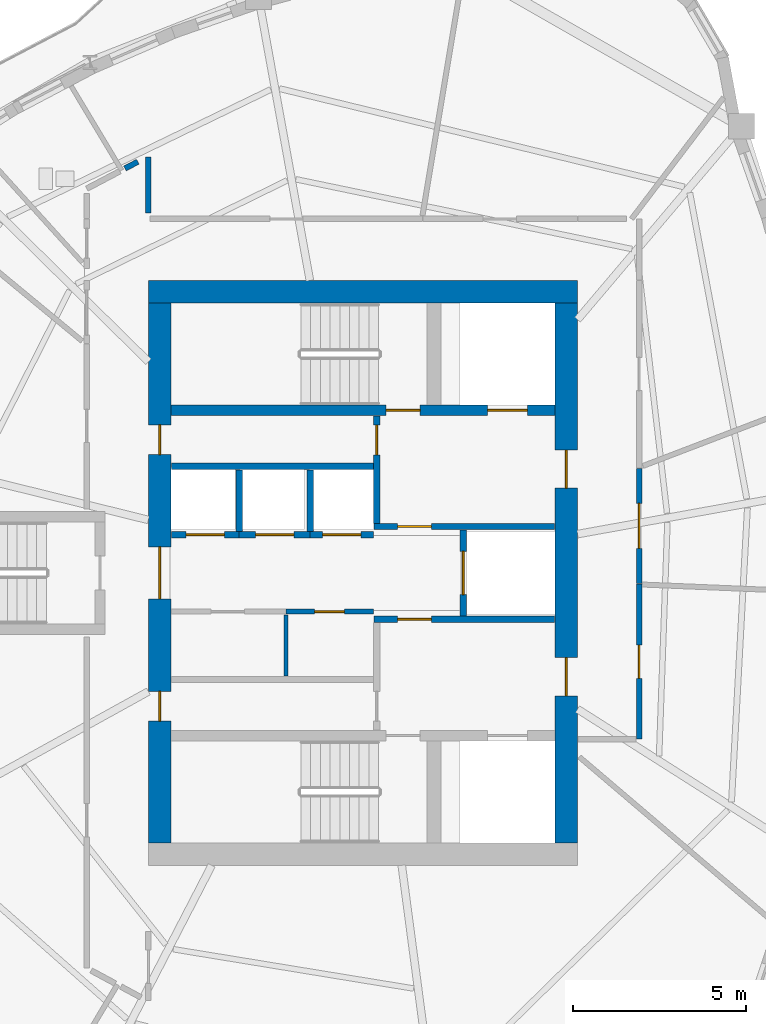
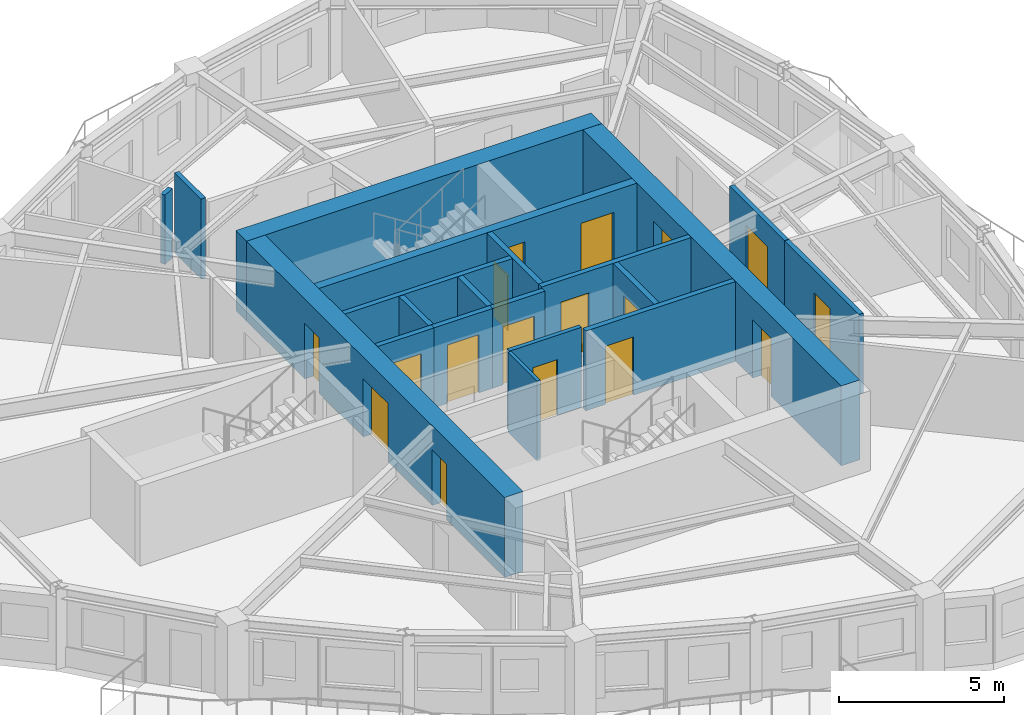
# One storey, part 5 of 11: 20 walls, 17 doors, 17 openings.
"""IFC4 building model written with IfcOpenShell, lengths in metres."""

from ifc_helpers import new_model, si_unit, direction, frame, frame_2d, origin, place, context, subcontext, project, spatial, rectangle, extrude, source, transform, mapped, material, layer, layer_set, type_object, element, fill, save


model = new_model("IFC4")

# Units and contexts
model_context = context("Model", 3, precision=1e-05, world=origin(), true_north=direction((0.0, 1.0)))
body_context = subcontext(model_context, "Body", "Model", "MODEL_VIEW")
ifc_project = project(units=[si_unit("LENGTHUNIT", "METRE"), si_unit("AREAUNIT", "SQUARE_METRE"), si_unit("VOLUMEUNIT", "CUBIC_METRE"), si_unit("PLANEANGLEUNIT", "RADIAN"), si_unit("MASSUNIT", "GRAM", prefix="KILO")], contexts=[model_context])

# Site, building, storey
site_placement = place(None, origin())
site = spatial("IfcSite", under=ifc_project, at=site_placement, CompositionType="ELEMENT")
building_placement = place(site_placement, origin())
building = spatial("IfcBuilding", under=site, at=building_placement, Name="Qafzar Sky-Pleat Residences", CompositionType="ELEMENT")
storey_placement = place(building_placement, frame((0.0, 0.0, 168.199951171875)))
storey = spatial("IfcBuildingStorey", under=building, at=storey_placement, Name="L50", CompositionType="ELEMENT", Elevation=168.199951171875)

# Wall, opening, door
ifc_material_1 = material(Name="Acoustic gypsum plasterboard partition", Category="gypsum")
ifc_layer_1 = layer(ifc_material_1, 0.159912109375)
ifc_layer_set_1 = layer_set([ifc_layer_1], Name="Acoustic gypsum plasterboard partition")
wall_type_1 = type_object("IfcWallType", Name="PART-COR-160", PredefinedType="PARTITIONING", material=ifc_layer_set_1)
wall_1_placement = place(storey_placement, frame((38.330078125, 25.68310546875, 0.0), z_axis=(0.0, 0.0, 1.0), x_axis=(0.0, -1.0, 0.0)))
wall_1 = element("IfcWall", 1, at=wall_1_placement, inside=storey, type_object=wall_type_1, Name="L50 Partition Wall PART-L50-PW-005", PredefinedType="PARTITIONING", context=body_context, shape_type="SweptSolid", body=[
    extrude(rectangle(XDim=4.483154296875, YDim=0.159912109375, at=frame_2d((2.24169921875, 0.0))), origin(), (0.0, 0.0, 1.0), 2.949951171875),
])
opening_1_placement = place(wall_1_placement, frame((1.76904296875, 0.0, 0.0)))
opening_1 = element("IfcOpeningElement", 2, at=opening_1_placement, cuts=wall_1, Name="Opening ID-06", PredefinedType="OPENING", context=body_context, shape_type="SweptSolid", body=[
    extrude(rectangle(XDim=0.9599609375, YDim=2.10009765625, at=frame_2d((0.47998046875, 1.050048828125))), frame((0.0, 0.08984375, 0.0), z_axis=(0.0, -1.0, 0.0), x_axis=(1.0, 0.0, 0.0)), (0.0, 0.0, 1.0), 0.179931640625),
])
ifc_material_2 = material(Name="Timber-faced fire door", Category="wood")
door_type_1 = type_object("IfcDoorType", Name="DR-STD-960", OperationType="NOTDEFINED", PredefinedType="DOOR", material=ifc_material_2)
shared_shape_1 = source(origin(), body_context, "Body", "SweptSolid", [
    extrude(rectangle(XDim=0.9599609375, YDim=2.10009765625, at=frame_2d((0.47998046875, 1.050048828125))), frame((0.0, 0.02490234375, 0.0), z_axis=(0.0, -1.0, 0.0), x_axis=(1.0, 0.0, 0.0)), (0.0, 0.0, 1.0), 0.050048828125),
])
door_1_placement = place(opening_1_placement, origin())
door_1 = element("IfcDoor", 3, at=door_1_placement, inside=storey, type_object=door_type_1, Name="L50 Wellness Yoga Studio Door", OperationType="SINGLE_SWING_LEFT", OverallHeight=2.10009765625, OverallWidth=0.9599609375, PredefinedType="DOOR", context=body_context, shape_type="MappedRepresentation", body=[
    mapped(shared_shape_1, transform((0.0, 0.0, 0.0), x_axis=(1.0, 0.0, 0.0), y_axis=(0.0, 1.0, 0.0), z_axis=(0.0, 0.0, 1.0), scale=1.0)),
])
fill(opening_1, door_1)

wall_2_placement = place(storey_placement, frame((38.330078125, 29.01904296875, 0.0), z_axis=(0.0, 0.0, 1.0), x_axis=(0.0, -1.0, 0.0)))
wall_2 = element("IfcWall", 4, at=wall_2_placement, inside=storey, type_object=wall_type_1, Name="L50 Partition Wall PART-L50-PW-007", PredefinedType="PARTITIONING", context=body_context, shape_type="SweptSolid", body=[
    extrude(rectangle(XDim=3.321044921875, YDim=0.159912109375, at=frame_2d((1.66064453125, 0.0))), origin(), (0.0, 0.0, 1.0), 2.949951171875),
])
opening_2_placement = place(wall_2_placement, frame((1.010498046875, 0.0, 0.0)))
opening_2 = element("IfcOpeningElement", 5, at=opening_2_placement, cuts=wall_2, Name="Opening ID-05", PredefinedType="OPENING", context=body_context, shape_type="SweptSolid", body=[
    extrude(rectangle(XDim=1.300048828125, YDim=2.10009765625, at=frame_2d((0.64990234375, 1.050048828125))), frame((0.0, 0.08984375, 0.0), z_axis=(0.0, -1.0, 0.0), x_axis=(1.0, 0.0, 0.0)), (0.0, 0.0, 1.0), 0.179931640625),
])
door_type_2 = type_object("IfcDoorType", Name="DR-LNG-1300", OperationType="DOUBLE_DOOR_SINGLE_SWING", PredefinedType="DOOR", material=ifc_material_2)
shared_shape_2 = source(origin(), body_context, "Body", "SweptSolid", [
    extrude(rectangle(XDim=1.300048828125, YDim=2.10009765625, at=frame_2d((0.64990234375, 1.050048828125))), frame((0.0, 0.02490234375, 0.0), z_axis=(0.0, -1.0, 0.0), x_axis=(1.0, 0.0, 0.0)), (0.0, 0.0, 1.0), 0.050048828125),
])
door_2_placement = place(opening_2_placement, origin())
door_2 = element("IfcDoor", 6, at=door_2_placement, inside=storey, type_object=door_type_2, Name="L50 Co-Living Lounge Door", OperationType="DOUBLE_DOOR_SINGLE_SWING", OverallHeight=2.10009765625, OverallWidth=1.300048828125, PredefinedType="DOOR", context=body_context, shape_type="MappedRepresentation", body=[
    mapped(shared_shape_2, transform((0.0, 0.0, 0.0), x_axis=(1.0, 0.0, 0.0), y_axis=(0.0, 1.0, 0.0), z_axis=(0.0, 0.0, 1.0), scale=1.0)),
])
fill(opening_2, door_2)

# Walls
wall_3_placement = place(storey_placement, frame((24.14990234375, 36.404052734375, 0.0), z_axis=(0.0, 0.0, 1.0), x_axis=(0.0, 1.0, 0.0)))
element("IfcWall", 7, at=wall_3_placement, inside=storey, type_object=wall_type_1, Name="L50 Partition Wall PART-L50-PW-023", PredefinedType="PARTITIONING", context=body_context, shape_type="SweptSolid", body=[
    extrude(rectangle(XDim=1.61083984375, YDim=0.159912109375, at=frame_2d((0.805419921875, 0.0))), origin(), (0.0, 0.0, 1.0), 2.949951171875),
])
wall_4_placement = place(storey_placement, frame((23.4716796875, 37.686279296875, 0.0), z_axis=(0.0, 0.0, 1.0), x_axis=(0.884564737935, 0.466417435782, 0.0)))
element("IfcWall", 8, at=wall_4_placement, inside=storey, type_object=wall_type_1, Name="L50 Partition Wall PART-L50-PW-029", PredefinedType="PARTITIONING", context=body_context, shape_type="SweptSolid", body=[
    extrude(rectangle(XDim=0.419677734375, YDim=0.159912109375, at=frame_2d((0.2099609375, 0.0))), origin(), (0.0, 0.0, 1.0), 2.55810546875),
])

# Wall, opening, door
ifc_material_3 = material(Name="Concrete blockwork partition", Category="masonry")
ifc_layer_2 = layer(ifc_material_3, 0.179931640625)
ifc_layer_set_2 = layer_set([ifc_layer_2], Name="Concrete blockwork partition")
wall_type_2 = type_object("IfcWallType", Name="PART-SHAFT-180", PredefinedType="PARTITIONING", material=ifc_layer_set_2)
wall_5_placement = place(storey_placement, frame((30.669921875, 24.659912109375, 0.0), z_axis=(0.0, 0.0, 1.0), x_axis=(1.0, 0.0, 0.0)))
wall_5 = element("IfcWall", 9, at=wall_5_placement, inside=storey, type_object=wall_type_2, Name="L50 Partition Wall PART-L50-FFL1-N", PredefinedType="PARTITIONING", context=body_context, shape_type="SweptSolid", body=[
    extrude(rectangle(XDim=5.219970703125, YDim=0.179931640625, at=frame_2d((2.60986328125, 0.0))), origin(), (0.0, 0.0, 1.0), 2.949951171875),
])
opening_3_placement = place(wall_5_placement, frame((0.679931640625, 0.0, 0.0)))
opening_3 = element("IfcOpeningElement", 10, at=opening_3_placement, cuts=wall_5, Name="Opening ID-01", PredefinedType="OPENING", context=body_context, shape_type="SweptSolid", body=[
    extrude(rectangle(XDim=0.97998046875, YDim=2.14990234375, at=frame_2d((0.489990234375, 1.074951171875))), frame((0.0, 0.10009765625, 0.0), z_axis=(0.0, -1.0, 0.0), x_axis=(1.0, 0.0, 0.0)), (0.0, 0.0, 1.0), 0.199951171875),
])
door_type_3 = type_object("IfcDoorType", Name="DR-STAIR-980", OperationType="NOTDEFINED", PredefinedType="DOOR", material=ifc_material_2)
shared_shape_3 = source(origin(), body_context, "Body", "SweptSolid", [
    extrude(rectangle(XDim=0.97998046875, YDim=2.14990234375, at=frame_2d((0.489990234375, 1.074951171875))), frame((0.0, 0.02490234375, 0.0), z_axis=(0.0, -1.0, 0.0), x_axis=(1.0, 0.0, 0.0)), (0.0, 0.0, 1.0), 0.050048828125),
])
door_3_placement = place(opening_3_placement, origin())
door_3 = element("IfcDoor", 11, at=door_3_placement, inside=storey, type_object=door_type_3, Name="L50 Lift Lobby to South Firefighting Lobby Door", OperationType="SINGLE_SWING_RIGHT", OverallHeight=2.14990234375, OverallWidth=0.97998046875, PredefinedType="DOOR", context=body_context, shape_type="MappedRepresentation", body=[
    mapped(shared_shape_3, transform((0.0, 0.0, 0.0), x_axis=(1.0, 0.0, 0.0), y_axis=(0.0, 1.0, 0.0), z_axis=(0.0, 0.0, 1.0), scale=1.0)),
])
fill(opening_3, door_3)

wall_6_placement = place(storey_placement, frame((30.75, 27.429931640625, 0.0), z_axis=(0.0, 0.0, 1.0), x_axis=(0.0, 1.0, 0.0)))
wall_6 = element("IfcWall", 12, at=wall_6_placement, inside=storey, type_object=wall_type_2, Name="L50 Partition Wall PART-L50-FFL2-W", PredefinedType="PARTITIONING", context=body_context, shape_type="SweptSolid", body=[
    extrude(rectangle(XDim=3.110107421875, YDim=0.179931640625, at=frame_2d((1.55517578125, 0.0))), origin(), (0.0, 0.0, 1.0), 2.949951171875),
])
opening_4_placement = place(wall_6_placement, frame((1.97998046875, 0.0, 0.0)))
opening_4 = element("IfcOpeningElement", 13, at=opening_4_placement, cuts=wall_6, Name="Opening ID-09", PredefinedType="OPENING", context=body_context, shape_type="SweptSolid", body=[
    extrude(rectangle(XDim=0.860107421875, YDim=2.050048828125, at=frame_2d((0.43017578125, 1.02490234375))), frame((0.0, 0.10009765625, 0.0), z_axis=(0.0, -1.0, 0.0), x_axis=(1.0, 0.0, 0.0)), (0.0, 0.0, 1.0), 0.199951171875),
])
door_type_4 = type_object("IfcDoorType", Name="DR-SVC-860", OperationType="NOTDEFINED", PredefinedType="DOOR", material=ifc_material_2)
shared_shape_4 = source(origin(), body_context, "Body", "SweptSolid", [
    extrude(rectangle(XDim=0.860107421875, YDim=2.050048828125, at=frame_2d((0.43017578125, 1.02490234375))), frame((0.0, 0.02490234375, 0.0), z_axis=(0.0, -1.0, 0.0), x_axis=(1.0, 0.0, 0.0)), (0.0, 0.0, 1.0), 0.050048828125),
])
door_4_placement = place(opening_4_placement, origin())
door_4 = element("IfcDoor", 14, at=door_4_placement, inside=storey, type_object=door_type_4, Name="L50 North Core Cupboard Door", OperationType="SINGLE_SWING_LEFT", OverallHeight=2.050048828125, OverallWidth=0.860107421875, PredefinedType="DOOR", context=body_context, shape_type="MappedRepresentation", body=[
    mapped(shared_shape_4, transform((0.0, 0.0, 0.0), x_axis=(1.0, 0.0, 0.0), y_axis=(0.0, 1.0, 0.0), z_axis=(0.0, 0.0, 1.0), scale=1.0)),
])
fill(opening_4, door_4)

wall_7_placement = place(storey_placement, frame((30.669921875, 27.340087890625, 0.0), z_axis=(0.0, 0.0, 1.0), x_axis=(1.0, 0.0, 0.0)))
wall_7 = element("IfcWall", 15, at=wall_7_placement, inside=storey, type_object=wall_type_2, Name="L50 Partition Wall PART-L50-FFL2-S", PredefinedType="PARTITIONING", context=body_context, shape_type="SweptSolid", body=[
    extrude(rectangle(XDim=5.219970703125, YDim=0.179931640625, at=frame_2d((2.60986328125, 0.0))), origin(), (0.0, 0.0, 1.0), 2.949951171875),
])
opening_5_placement = place(wall_7_placement, frame((0.679931640625, 0.0, 0.0)))
opening_5 = element("IfcOpeningElement", 16, at=opening_5_placement, cuts=wall_7, Name="Opening ID-01", PredefinedType="OPENING", context=body_context, shape_type="SweptSolid", body=[
    extrude(rectangle(XDim=0.97998046875, YDim=2.14990234375, at=frame_2d((0.489990234375, 1.074951171875))), frame((0.0, 0.10009765625, 0.0), z_axis=(0.0, -1.0, 0.0), x_axis=(1.0, 0.0, 0.0)), (0.0, 0.0, 1.0), 0.199951171875),
])
door_5_placement = place(opening_5_placement, origin())
door_5 = element("IfcDoor", 17, at=door_5_placement, inside=storey, type_object=door_type_3, Name="L50 Lift Lobby to North Firefighting Lobby Door", OperationType="SINGLE_SWING_RIGHT", OverallHeight=2.14990234375, OverallWidth=0.97998046875, PredefinedType="DOOR", context=body_context, shape_type="MappedRepresentation", body=[
    mapped(shared_shape_3, transform((0.0, 0.0, 0.0), x_axis=(1.0, 0.0, 0.0), y_axis=(0.0, 1.0, 0.0), z_axis=(0.0, 0.0, 1.0), scale=1.0)),
])
fill(opening_5, door_5)

wall_8_placement = place(storey_placement, frame((33.25, 24.760009765625, 0.0), z_axis=(0.0, 0.0, 1.0), x_axis=(0.0, 1.0, 0.0)))
wall_8 = element("IfcWall", 18, at=wall_8_placement, inside=storey, type_object=wall_type_2, Name="L50 Partition Wall PART-L50-SV1-W", PredefinedType="PARTITIONING", context=body_context, shape_type="SweptSolid", body=[
    extrude(rectangle(XDim=2.47998046875, YDim=0.179931640625, at=frame_2d((1.239990234375, 0.0))), origin(), (0.0, 0.0, 1.0), 2.949951171875),
])
opening_6_placement = place(wall_8_placement, frame((0.614990234375, 0.0, 0.0)))
opening_6 = element("IfcOpeningElement", 19, at=opening_6_placement, cuts=wall_8, Name="Opening LD-03", PredefinedType="OPENING", context=body_context, shape_type="SweptSolid", body=[
    extrude(rectangle(XDim=1.25, YDim=2.14990234375, at=frame_2d((0.625, 1.074951171875))), frame((0.0, 0.10009765625, 0.0), z_axis=(0.0, -1.0, 0.0), x_axis=(1.0, 0.0, 0.0)), (0.0, 0.0, 1.0), 0.199951171875),
])
ifc_material_4 = material(Name="Stainless steel sliding landing door", Category="steel")
door_type_5 = type_object("IfcDoorType", Name="DR-LIFT-SV", OperationType="DOUBLE_DOOR_SLIDING", PredefinedType="DOOR", material=ifc_material_4)
shared_shape_5 = source(origin(), body_context, "Body", "SweptSolid", [
    extrude(rectangle(XDim=1.25, YDim=2.14990234375, at=frame_2d((0.625, 1.074951171875))), frame((0.0, 0.02490234375, 0.0), z_axis=(0.0, -1.0, 0.0), x_axis=(1.0, 0.0, 0.0)), (0.0, 0.0, 1.0), 0.050048828125),
])
door_6_placement = place(opening_6_placement, origin())
door_6 = element("IfcDoor", 20, at=door_6_placement, inside=storey, type_object=door_type_5, Name="L50 Service Lift SV1 Landing Door", OperationType="DOUBLE_DOOR_SLIDING", OverallHeight=2.14990234375, OverallWidth=1.25, PredefinedType="DOOR", context=body_context, shape_type="MappedRepresentation", body=[
    mapped(shared_shape_5, transform((0.0, 0.0, 0.0), x_axis=(1.0, 0.0, 0.0), y_axis=(0.0, 1.0, 0.0), z_axis=(0.0, 0.0, 1.0), scale=1.0)),
])
fill(opening_6, door_6)

# Wall
wall_9_placement = place(storey_placement, frame((24.81005859375, 29.080078125, 0.0), z_axis=(0.0, 0.0, 1.0), x_axis=(1.0, 0.0, 0.0)))
element("IfcWall", 21, at=wall_9_placement, inside=storey, type_object=wall_type_2, Name="L50 Partition Wall PART-L50-P46-N", PredefinedType="PARTITIONING", context=body_context, shape_type="SweptSolid", body=[
    extrude(rectangle(XDim=5.83984375, YDim=0.179931640625, at=frame_2d((2.919921875, 0.0))), origin(), (0.0, 0.0, 1.0), 2.949951171875),
])

# Wall, opening, door
wall_10_placement = place(storey_placement, frame((24.81005859375, 27.10009765625, 0.0), z_axis=(0.0, 0.0, 1.0), x_axis=(1.0, 0.0, 0.0)))
wall_10 = element("IfcWall", 22, at=wall_10_placement, inside=storey, type_object=wall_type_2, Name="L50 Partition Wall PART-L50-P4-S", PredefinedType="PARTITIONING", context=body_context, shape_type="SweptSolid", body=[
    extrude(rectangle(XDim=1.96484375, YDim=0.179931640625, at=frame_2d((0.982421875, 0.0))), origin(), (0.0, 0.0, 1.0), 2.949951171875),
])
opening_7_placement = place(wall_10_placement, frame((0.4326171875, 0.0, 0.0)))
opening_7 = element("IfcOpeningElement", 23, at=opening_7_placement, cuts=wall_10, Name="Opening LD-01", PredefinedType="OPENING", context=body_context, shape_type="SweptSolid", body=[
    extrude(rectangle(XDim=1.10009765625, YDim=2.14990234375, at=frame_2d((0.550048828125, 1.074951171875))), frame((0.0, 0.10009765625, 0.0), z_axis=(0.0, -1.0, 0.0), x_axis=(1.0, 0.0, 0.0)), (0.0, 0.0, 1.0), 0.199951171875),
])
door_type_6 = type_object("IfcDoorType", Name="DR-LIFT-P", OperationType="DOUBLE_DOOR_SLIDING", PredefinedType="DOOR", material=ifc_material_4)
shared_shape_6 = source(origin(), body_context, "Body", "SweptSolid", [
    extrude(rectangle(XDim=1.10009765625, YDim=2.14990234375, at=frame_2d((0.550048828125, 1.074951171875))), frame((0.0, 0.02490234375, 0.0), z_axis=(0.0, -1.0, 0.0), x_axis=(1.0, 0.0, 0.0)), (0.0, 0.0, 1.0), 0.050048828125),
])
door_7_placement = place(opening_7_placement, origin())
door_7 = element("IfcDoor", 24, at=door_7_placement, inside=storey, type_object=door_type_6, Name="L50 Passenger Lift P4 Landing Door", OperationType="DOUBLE_DOOR_SLIDING", OverallHeight=2.14990234375, OverallWidth=1.10009765625, PredefinedType="DOOR", context=body_context, shape_type="MappedRepresentation", body=[
    mapped(shared_shape_6, transform((0.0, 0.0, 0.0), x_axis=(1.0, 0.0, 0.0), y_axis=(0.0, 1.0, 0.0), z_axis=(0.0, 0.0, 1.0), scale=1.0)),
])
fill(opening_7, door_7)

wall_11_placement = place(storey_placement, frame((26.77490234375, 27.10009765625, 0.0), z_axis=(0.0, 0.0, 1.0), x_axis=(1.0, 0.0, 0.0)))
wall_11 = element("IfcWall", 25, at=wall_11_placement, inside=storey, type_object=wall_type_2, Name="L50 Partition Wall PART-L50-P5-S", PredefinedType="PARTITIONING", context=body_context, shape_type="SweptSolid", body=[
    extrude(rectangle(XDim=2.050048828125, YDim=0.179931640625, at=frame_2d((1.02490234375, 0.0))), origin(), (0.0, 0.0, 1.0), 2.949951171875),
])
opening_8_placement = place(wall_11_placement, frame((0.47509765625, 0.0, 0.0)))
opening_8 = element("IfcOpeningElement", 26, at=opening_8_placement, cuts=wall_11, Name="Opening LD-01", PredefinedType="OPENING", context=body_context, shape_type="SweptSolid", body=[
    extrude(rectangle(XDim=1.10009765625, YDim=2.14990234375, at=frame_2d((0.550048828125, 1.074951171875))), frame((0.0, 0.10009765625, 0.0), z_axis=(0.0, -1.0, 0.0), x_axis=(1.0, 0.0, 0.0)), (0.0, 0.0, 1.0), 0.199951171875),
])
door_8_placement = place(opening_8_placement, origin())
door_8 = element("IfcDoor", 27, at=door_8_placement, inside=storey, type_object=door_type_6, Name="L50 Passenger Lift P5 Landing Door", OperationType="DOUBLE_DOOR_SLIDING", OverallHeight=2.14990234375, OverallWidth=1.10009765625, PredefinedType="DOOR", context=body_context, shape_type="MappedRepresentation", body=[
    mapped(shared_shape_6, transform((0.0, 0.0, 0.0), x_axis=(1.0, 0.0, 0.0), y_axis=(0.0, 1.0, 0.0), z_axis=(0.0, 0.0, 1.0), scale=1.0)),
])
fill(opening_8, door_8)

# Wall
wall_12_placement = place(storey_placement, frame((26.77490234375, 27.199951171875, 0.0), z_axis=(0.0, 0.0, 1.0), x_axis=(0.0, 1.0, 0.0)))
element("IfcWall", 28, at=wall_12_placement, inside=storey, type_object=wall_type_2, Name="L50 Partition Wall PART-L50-P46-DIV-1", PredefinedType="PARTITIONING", context=body_context, shape_type="SweptSolid", body=[
    extrude(rectangle(XDim=1.780029296875, YDim=0.179931640625, at=frame_2d((0.89013671875, 0.0))), origin(), (0.0, 0.0, 1.0), 2.949951171875),
])

# Wall, opening, door
wall_13_placement = place(storey_placement, frame((28.824951171875, 27.10009765625, 0.0), z_axis=(0.0, 0.0, 1.0), x_axis=(1.0, 0.0, 0.0)))
wall_13 = element("IfcWall", 29, at=wall_13_placement, inside=storey, type_object=wall_type_2, Name="L50 Partition Wall PART-L50-P6-S", PredefinedType="PARTITIONING", context=body_context, shape_type="SweptSolid", body=[
    extrude(rectangle(XDim=1.824951171875, YDim=0.179931640625, at=frame_2d((0.91259765625, 0.0))), origin(), (0.0, 0.0, 1.0), 2.949951171875),
])
opening_9_placement = place(wall_13_placement, frame((0.362548828125, 0.0, 0.0)))
opening_9 = element("IfcOpeningElement", 30, at=opening_9_placement, cuts=wall_13, Name="Opening LD-01", PredefinedType="OPENING", context=body_context, shape_type="SweptSolid", body=[
    extrude(rectangle(XDim=1.10009765625, YDim=2.14990234375, at=frame_2d((0.550048828125, 1.074951171875))), frame((0.0, 0.10009765625, 0.0), z_axis=(0.0, -1.0, 0.0), x_axis=(1.0, 0.0, 0.0)), (0.0, 0.0, 1.0), 0.199951171875),
])
door_9_placement = place(opening_9_placement, origin())
door_9 = element("IfcDoor", 31, at=door_9_placement, inside=storey, type_object=door_type_6, Name="L50 Passenger Lift P6 Landing Door", OperationType="DOUBLE_DOOR_SLIDING", OverallHeight=2.14990234375, OverallWidth=1.10009765625, PredefinedType="DOOR", context=body_context, shape_type="MappedRepresentation", body=[
    mapped(shared_shape_6, transform((0.0, 0.0, 0.0), x_axis=(1.0, 0.0, 0.0), y_axis=(0.0, 1.0, 0.0), z_axis=(0.0, 0.0, 1.0), scale=1.0)),
])
fill(opening_9, door_9)

# Walls
wall_14_placement = place(storey_placement, frame((28.824951171875, 27.199951171875, 0.0), z_axis=(0.0, 0.0, 1.0), x_axis=(0.0, 1.0, 0.0)))
element("IfcWall", 32, at=wall_14_placement, inside=storey, type_object=wall_type_2, Name="L50 Partition Wall PART-L50-P46-DIV-2", PredefinedType="PARTITIONING", context=body_context, shape_type="SweptSolid", body=[
    extrude(rectangle(XDim=1.780029296875, YDim=0.179931640625, at=frame_2d((0.89013671875, 0.0))), origin(), (0.0, 0.0, 1.0), 2.949951171875),
])
ifc_material_5 = material(Name="Gypsum plasterboard partition", Category="gypsum")
ifc_layer_3 = layer(ifc_material_5, 0.114990234375)
ifc_layer_set_3 = layer_set([ifc_layer_3], Name="Gypsum plasterboard partition")
wall_type_3 = type_object("IfcWallType", Name="PART-SVC-115", PredefinedType="PARTITIONING", material=ifc_layer_set_3)
wall_15_placement = place(storey_placement, frame((28.125, 23.02001953125, 0.0), z_axis=(0.0, 0.0, 1.0), x_axis=(0.0, 1.0, 0.0)))
element("IfcWall", 33, at=wall_15_placement, inside=storey, type_object=wall_type_3, Name="L50 Partition Wall PART-L50-RECLAIM-DIV", PredefinedType="PARTITIONING", context=body_context, shape_type="SweptSolid", body=[
    extrude(rectangle(XDim=1.77001953125, YDim=0.114990234375, at=frame_2d((0.885009765625, 0.0))), origin(), (0.0, 0.0, 1.0), 2.949951171875),
])

# Wall, opening, door
ifc_layer_4 = layer(ifc_material_1, 0.14501953125)
ifc_layer_set_4 = layer_set([ifc_layer_4], Name="Acoustic gypsum plasterboard partition")
wall_type_4 = type_object("IfcWallType", Name="PART-UNIT-145", PredefinedType="PARTITIONING", material=ifc_layer_set_4)
wall_16_placement = place(storey_placement, frame((28.1298828125, 24.8798828125, 0.0), z_axis=(0.0, 0.0, 1.0), x_axis=(1.0, 0.0, 0.0)))
wall_16 = element("IfcWall", 34, at=wall_16_placement, inside=storey, type_object=wall_type_4, Name="L50 Partition Wall PART-L50-RECLAIM-N2", PredefinedType="PARTITIONING", context=body_context, shape_type="SweptSolid", body=[
    extrude(rectangle(XDim=2.52001953125, YDim=0.14501953125, at=frame_2d((1.260009765625, 0.0))), origin(), (0.0, 0.0, 1.0), 2.949951171875),
])
opening_10_placement = place(wall_16_placement, frame((0.820068359375, 0.0, 0.0)))
opening_10 = element("IfcOpeningElement", 35, at=opening_10_placement, cuts=wall_16, Name="Opening ID-09", PredefinedType="OPENING", context=body_context, shape_type="SweptSolid", body=[
    extrude(rectangle(XDim=0.860107421875, YDim=2.050048828125, at=frame_2d((0.43017578125, 1.02490234375))), frame((0.0, 0.08251953125, 0.0), z_axis=(0.0, -1.0, 0.0), x_axis=(1.0, 0.0, 0.0)), (0.0, 0.0, 1.0), 0.1650390625),
])
door_10_placement = place(opening_10_placement, origin())
door_10 = element("IfcDoor", 36, at=door_10_placement, inside=storey, type_object=door_type_4, Name="L50 Reclaimed Linen Cupboard Door", OperationType="SINGLE_SWING_RIGHT", OverallHeight=2.050048828125, OverallWidth=0.860107421875, PredefinedType="DOOR", context=body_context, shape_type="MappedRepresentation", body=[
    mapped(shared_shape_4, transform((0.0, 0.0, 0.0), x_axis=(1.0, 0.0, 0.0), y_axis=(0.0, 1.0, 0.0), z_axis=(0.0, 0.0, 1.0), scale=1.0)),
])
fill(opening_10, door_10)

# Wall, openings, doors
ifc_material_6 = material(Name="Concrete C60/75", Category="concrete")
ifc_layer_5 = layer(ifc_material_6, 0.300048828125)
ifc_layer_set_5 = layer_set([ifc_layer_5], Name="Concrete C60/75")
wall_type_5 = type_object("IfcWallType", Name="WALL-SHEAR-300", PredefinedType="SHEAR", material=ifc_layer_set_5)
wall_17_placement = place(storey_placement, frame((24.800048828125, 30.699951171875, 0.0), z_axis=(0.0, 0.0, 1.0), x_axis=(1.0, 0.0, 0.0)))
wall_17 = element("IfcWall", 37, at=wall_17_placement, inside=storey, type_object=wall_type_5, Name="L50 Stair ST2 and FF2 Shaft South Wall", PredefinedType="SHEAR", context=body_context, shape_type="SweptSolid", body=[
    extrude(rectangle(XDim=11.099853515625, YDim=0.300048828125, at=frame_2d((5.5498046875, 0.0))), origin(), (0.0, 0.0, 1.0), 2.949951171875),
])
opening_11_placement = place(wall_17_placement, frame((6.219970703125, 0.0, 0.0)))
opening_11 = element("IfcOpeningElement", 38, at=opening_11_placement, cuts=wall_17, Name="Opening ID-01", PredefinedType="OPENING", context=body_context, shape_type="SweptSolid", body=[
    extrude(rectangle(XDim=0.97998046875, YDim=2.14990234375, at=frame_2d((0.489990234375, 1.074951171875))), frame((0.0, 0.16015625, 0.0), z_axis=(0.0, -1.0, 0.0), x_axis=(1.0, 0.0, 0.0)), (0.0, 0.0, 1.0), 0.320068359375),
])
opening_12_placement = place(wall_17_placement, frame((9.14990234375, 0.0, 0.0)))
opening_12 = element("IfcOpeningElement", 39, at=opening_12_placement, cuts=wall_17, Name="Opening LD-02", PredefinedType="OPENING", context=body_context, shape_type="SweptSolid", body=[
    extrude(rectangle(XDim=1.14990234375, YDim=2.14990234375, at=frame_2d((0.574951171875, 1.074951171875))), frame((0.0, 0.16015625, 0.0), z_axis=(0.0, -1.0, 0.0), x_axis=(1.0, 0.0, 0.0)), (0.0, 0.0, 1.0), 0.320068359375),
])
door_11_placement = place(opening_11_placement, origin())
door_11 = element("IfcDoor", 40, at=door_11_placement, inside=storey, type_object=door_type_3, Name="L50 Stair ST2 Fire Door", OperationType="SINGLE_SWING_LEFT", OverallHeight=2.14990234375, OverallWidth=0.97998046875, PredefinedType="DOOR", context=body_context, shape_type="MappedRepresentation", body=[
    mapped(shared_shape_3, transform((0.0, 0.0, 0.0), x_axis=(1.0, 0.0, 0.0), y_axis=(0.0, 1.0, 0.0), z_axis=(0.0, 0.0, 1.0), scale=1.0)),
])
fill(opening_11, door_11)
door_type_7 = type_object("IfcDoorType", Name="DR-LIFT-FF", OperationType="DOUBLE_DOOR_SLIDING", PredefinedType="DOOR", material=ifc_material_4)
shared_shape_7 = source(origin(), body_context, "Body", "SweptSolid", [
    extrude(rectangle(XDim=1.14990234375, YDim=2.14990234375, at=frame_2d((0.574951171875, 1.074951171875))), frame((0.0, 0.02490234375, 0.0), z_axis=(0.0, -1.0, 0.0), x_axis=(1.0, 0.0, 0.0)), (0.0, 0.0, 1.0), 0.050048828125),
])
door_12_placement = place(opening_12_placement, origin())
door_12 = element("IfcDoor", 41, at=door_12_placement, inside=storey, type_object=door_type_7, Name="L50 Firefighting Lift FF2 Landing Door", OperationType="DOUBLE_DOOR_SLIDING", OverallHeight=2.14990234375, OverallWidth=1.14990234375, PredefinedType="DOOR", context=body_context, shape_type="MappedRepresentation", body=[
    mapped(shared_shape_7, transform((0.0, 0.0, 0.0), x_axis=(1.0, 0.0, 0.0), y_axis=(0.0, 1.0, 0.0), z_axis=(0.0, 0.0, 1.0), scale=1.0)),
])
fill(opening_12, door_12)

# Wall
ifc_layer_6 = layer(ifc_material_6, 0.64990234375)
ifc_layer_set_6 = layer_set([ifc_layer_6], Name="Concrete C60/75")
wall_type_6 = type_object("IfcWallType", Name="WALL-SHEAR-650", PredefinedType="SHEAR", material=ifc_layer_set_6)
wall_18_placement = place(storey_placement, frame((36.550048828125, 34.125, 0.0), z_axis=(0.0, 0.0, 1.0), x_axis=(-1.0, 0.0, 0.0)))
element("IfcWall", 42, at=wall_18_placement, inside=storey, type_object=wall_type_6, Name="L50 CORE wall N", PredefinedType="SHEAR", context=body_context, shape_type="SweptSolid", body=[
    extrude(rectangle(XDim=12.400146484375, YDim=0.64990234375, at=frame_2d((6.2001953125, 0.0))), origin(), (0.0, 0.0, 1.0), 2.949951171875),
])

# Wall, openings, doors
wall_19_placement = place(storey_placement, frame((24.47509765625, 33.800048828125, 0.0), z_axis=(0.0, 0.0, 1.0), x_axis=(0.0, -1.0, 0.0)))
wall_19 = element("IfcWall", 43, at=wall_19_placement, inside=storey, type_object=wall_type_6, Name="L50 CORE wall W", PredefinedType="SHEAR", context=body_context, shape_type="SweptSolid", body=[
    extrude(rectangle(XDim=15.60009765625, YDim=0.64990234375, at=frame_2d((7.800048828125, 0.0))), origin(), (0.0, 0.0, 1.0), 2.949951171875),
])
opening_13_placement = place(wall_19_placement, frame((7.050048828125, 0.0, 0.0)))
opening_13 = element("IfcOpeningElement", 44, at=opening_13_placement, cuts=wall_19, Name="Opening ID-03", PredefinedType="OPENING", context=body_context, shape_type="SweptSolid", body=[
    extrude(rectangle(XDim=1.5, YDim=2.14990234375, at=frame_2d((0.75, 1.074951171875))), frame((0.0, 0.3349609375, 0.0), z_axis=(0.0, -1.0, 0.0), x_axis=(1.0, 0.0, 0.0)), (0.0, 0.0, 1.0), 0.669921875),
])
opening_14_placement = place(wall_19_placement, frame((3.52001953125, 0.0, 0.0)))
opening_14 = element("IfcOpeningElement", 45, at=opening_14_placement, cuts=wall_19, Name="Opening ID-09", PredefinedType="OPENING", context=body_context, shape_type="SweptSolid", body=[
    extrude(rectangle(XDim=0.860107421875, YDim=2.050048828125, at=frame_2d((0.43017578125, 1.02490234375))), frame((0.0, 0.3349609375, 0.0), z_axis=(0.0, -1.0, 0.0), x_axis=(1.0, 0.0, 0.0)), (0.0, 0.0, 1.0), 0.669921875),
])
opening_15_placement = place(wall_19_placement, frame((11.219970703125, 0.0, 0.0)))
opening_15 = element("IfcOpeningElement", 46, at=opening_15_placement, cuts=wall_19, Name="Opening ID-09", PredefinedType="OPENING", context=body_context, shape_type="SweptSolid", body=[
    extrude(rectangle(XDim=0.860107421875, YDim=2.050048828125, at=frame_2d((0.43017578125, 1.02490234375))), frame((0.0, 0.3349609375, 0.0), z_axis=(0.0, -1.0, 0.0), x_axis=(1.0, 0.0, 0.0)), (0.0, 0.0, 1.0), 0.669921875),
])
door_type_8 = type_object("IfcDoorType", Name="DR-COR-1500", OperationType="DOUBLE_DOOR_SINGLE_SWING", PredefinedType="DOOR", material=ifc_material_2)
shared_shape_8 = source(origin(), body_context, "Body", "SweptSolid", [
    extrude(rectangle(XDim=1.5, YDim=2.14990234375, at=frame_2d((0.75, 1.074951171875))), frame((0.0, 0.02490234375, 0.0), z_axis=(0.0, -1.0, 0.0), x_axis=(1.0, 0.0, 0.0)), (0.0, 0.0, 1.0), 0.050048828125),
])
door_13_placement = place(opening_13_placement, origin())
door_13 = element("IfcDoor", 47, at=door_13_placement, inside=storey, type_object=door_type_8, Name="L50 Lift Lobby West Double Door", OperationType="DOUBLE_DOOR_SINGLE_SWING", OverallHeight=2.14990234375, OverallWidth=1.5, PredefinedType="DOOR", context=body_context, shape_type="MappedRepresentation", body=[
    mapped(shared_shape_8, transform((0.0, 0.0, 0.0), x_axis=(1.0, 0.0, 0.0), y_axis=(0.0, 1.0, 0.0), z_axis=(0.0, 0.0, 1.0), scale=1.0)),
])
fill(opening_13, door_13)
door_14_placement = place(opening_14_placement, origin())
door_14 = element("IfcDoor", 48, at=door_14_placement, inside=storey, type_object=door_type_4, Name="L50 Core North-West Service Door", OperationType="SINGLE_SWING_LEFT", OverallHeight=2.050048828125, OverallWidth=0.860107421875, PredefinedType="DOOR", context=body_context, shape_type="MappedRepresentation", body=[
    mapped(shared_shape_4, transform((0.0, 0.0, 0.0), x_axis=(1.0, 0.0, 0.0), y_axis=(0.0, 1.0, 0.0), z_axis=(0.0, 0.0, 1.0), scale=1.0)),
])
fill(opening_14, door_14)
door_15_placement = place(opening_15_placement, origin())
door_15 = element("IfcDoor", 49, at=door_15_placement, inside=storey, type_object=door_type_4, Name="L50 Core South-West Service Door", OperationType="SINGLE_SWING_RIGHT", OverallHeight=2.050048828125, OverallWidth=0.860107421875, PredefinedType="DOOR", context=body_context, shape_type="MappedRepresentation", body=[
    mapped(shared_shape_4, transform((0.0, 0.0, 0.0), x_axis=(1.0, 0.0, 0.0), y_axis=(0.0, 1.0, 0.0), z_axis=(0.0, 0.0, 1.0), scale=1.0)),
])
fill(opening_15, door_15)

wall_20_placement = place(storey_placement, frame((36.22509765625, 18.199951171875, 0.0), z_axis=(0.0, 0.0, 1.0), x_axis=(0.0, 1.0, 0.0)))
wall_20 = element("IfcWall", 50, at=wall_20_placement, inside=storey, type_object=wall_type_6, Name="L50 CORE wall E", PredefinedType="SHEAR", context=body_context, shape_type="SweptSolid", body=[
    extrude(rectangle(XDim=15.60009765625, YDim=0.64990234375, at=frame_2d((7.800048828125, 0.0))), origin(), (0.0, 0.0, 1.0), 2.949951171875),
])
opening_16_placement = place(wall_20_placement, frame((4.25, 0.0, 0.0)))
opening_16 = element("IfcOpeningElement", 51, at=opening_16_placement, cuts=wall_20, Name="Opening ID-02", PredefinedType="OPENING", context=body_context, shape_type="SweptSolid", body=[
    extrude(rectangle(XDim=1.10009765625, YDim=2.14990234375, at=frame_2d((0.550048828125, 1.074951171875))), frame((0.0, 0.3349609375, 0.0), z_axis=(0.0, -1.0, 0.0), x_axis=(1.0, 0.0, 0.0)), (0.0, 0.0, 1.0), 0.669921875),
])
opening_17_placement = place(wall_20_placement, frame((10.25, 0.0, 0.0)))
opening_17 = element("IfcOpeningElement", 52, at=opening_17_placement, cuts=wall_20, Name="Opening ID-02", PredefinedType="OPENING", context=body_context, shape_type="SweptSolid", body=[
    extrude(rectangle(XDim=1.10009765625, YDim=2.14990234375, at=frame_2d((0.550048828125, 1.074951171875))), frame((0.0, 0.3349609375, 0.0), z_axis=(0.0, -1.0, 0.0), x_axis=(1.0, 0.0, 0.0)), (0.0, 0.0, 1.0), 0.669921875),
])
door_type_9 = type_object("IfcDoorType", Name="DR-FFL-1100", OperationType="NOTDEFINED", PredefinedType="DOOR", material=ifc_material_2)
door_16_placement = place(opening_16_placement, origin())
door_16 = element("IfcDoor", 53, at=door_16_placement, inside=storey, type_object=door_type_9, Name="L50 Firefighting Lobby South Corridor Door", OperationType="SINGLE_SWING_LEFT", OverallHeight=2.14990234375, OverallWidth=1.10009765625, PredefinedType="DOOR", context=body_context, shape_type="MappedRepresentation", body=[
    mapped(shared_shape_6, transform((0.0, 0.0, 0.0), x_axis=(1.0, 0.0, 0.0), y_axis=(0.0, 1.0, 0.0), z_axis=(0.0, 0.0, 1.0), scale=1.0)),
])
fill(opening_16, door_16)
door_17_placement = place(opening_17_placement, origin())
door_17 = element("IfcDoor", 54, at=door_17_placement, inside=storey, type_object=door_type_9, Name="L50 Firefighting Lobby North Corridor Door", OperationType="SINGLE_SWING_RIGHT", OverallHeight=2.14990234375, OverallWidth=1.10009765625, PredefinedType="DOOR", context=body_context, shape_type="MappedRepresentation", body=[
    mapped(shared_shape_6, transform((0.0, 0.0, 0.0), x_axis=(1.0, 0.0, 0.0), y_axis=(0.0, 1.0, 0.0), z_axis=(0.0, 0.0, 1.0), scale=1.0)),
])
fill(opening_17, door_17)

save(model, "model.ifc")
